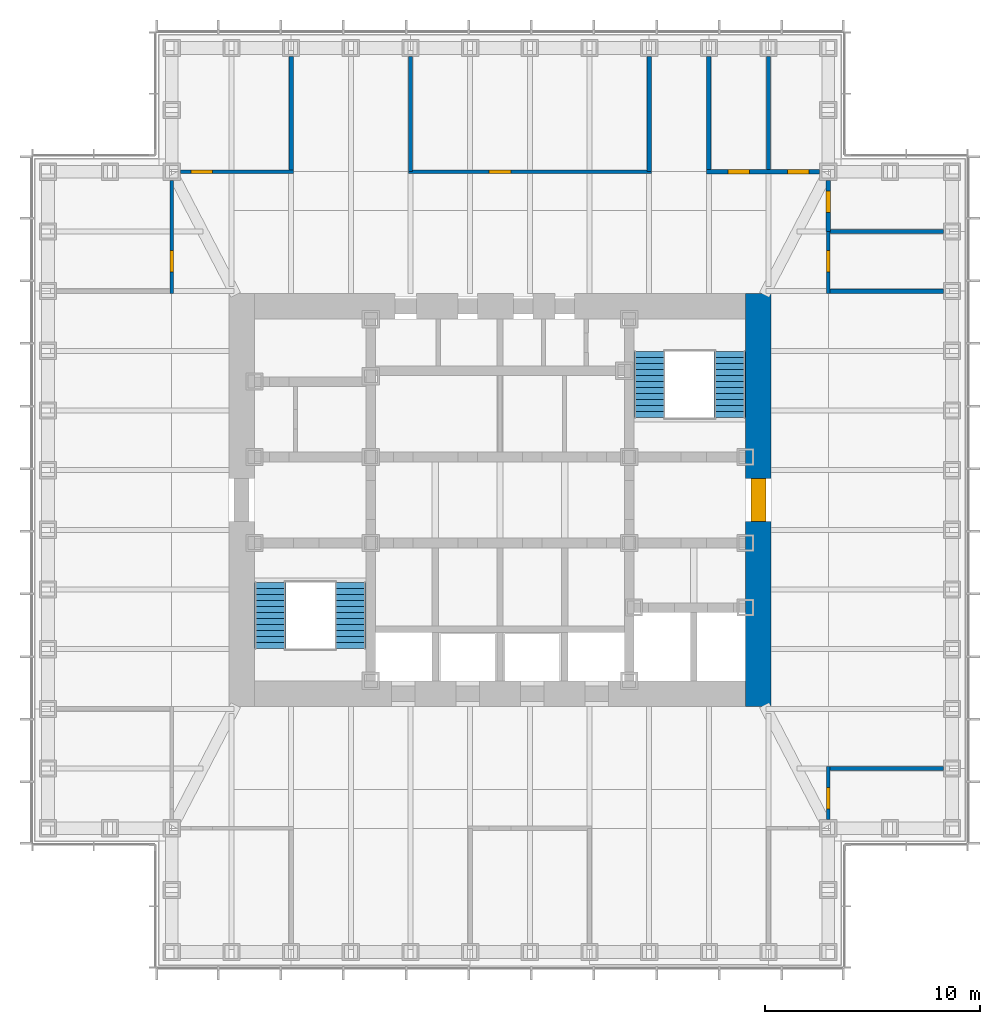
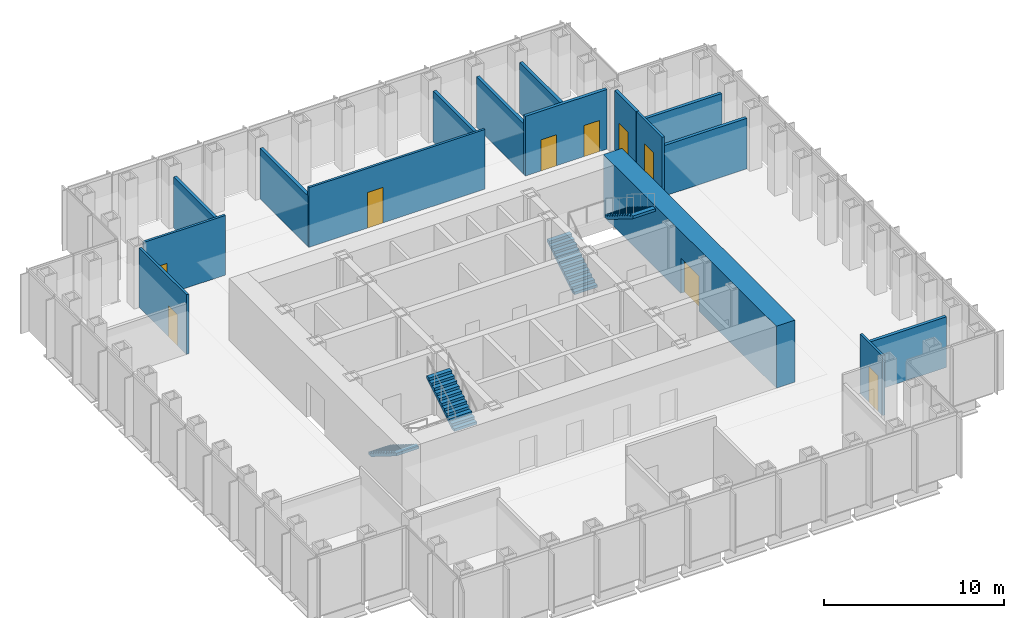
# One storey, part 10 of 16: 16 walls, 9 doors, 4 stair flights, 9 openings, 2 elements without a shape of their own.
"""IFC4 building model written with IfcOpenShell, lengths in metres."""

import ifcopenshell
import ifcopenshell.guid

model = None  # the IFC model being written
_history = None  # IfcOwnerHistory: only IFC2X3 demands one
_inside = {}  # id of a spatial element -> (the spatial element, [elements in it])
_under = {}  # id of a project, library or spatial element -> (it, [spatial elements below it])
_declared = {}  # id of a project -> (the project, [libraries it declares])
_typed = {}  # id of a type object -> (the type object, [elements of that type])
_made_of = {}  # id of a material, layer set ... -> (it, [elements and type objects made of it])


def new_model(schema):
    """Start an empty IFC model of exactly this schema.

    Asked for "IFC4X3", IfcOpenShell would pick the latest addendum, in which some entities
    have other attributes; the version numbers below select the first issue.
    IFC2X3 requires an IfcOwnerHistory on every rooted entity: one is made here for all.
    """
    global model, _history
    if schema == "IFC4X3":
        model = ifcopenshell.file(schema_version=(4, 3, 0, 0))
    else:
        model = ifcopenshell.file(schema=schema)
    _inside.clear()
    _under.clear()
    _declared.clear()
    _typed.clear()
    _made_of.clear()
    _history = None
    if model.schema == "IFC2X3":
        org = make("IfcOrganization", Name="unknown")
        user = make(
            "IfcPersonAndOrganization",
            ThePerson=make("IfcPerson", FamilyName="unknown"),
            TheOrganization=org,
        )
        app = make(
            "IfcApplication",
            ApplicationDeveloper=org,
            Version="unknown",
            ApplicationFullName="unknown",
            ApplicationIdentifier="unknown",
        )
        _history = make(
            "IfcOwnerHistory",
            OwningUser=user,
            OwningApplication=app,
            ChangeAction="ADDED",
            CreationDate=0,
        )
    return model


def make(cls, **values):
    """One entity of the class cls with the attributes given. An attribute that is None is left unset."""
    return model.create_entity(
        cls, **{name: value for name, value in values.items() if value is not None}
    )


def rooted(cls, **values):
    """An entity with a GlobalId (a new one), such as an element, a storey or a relation."""
    return make(cls, GlobalId=ifcopenshell.guid.new(), OwnerHistory=_history, **values)


def si_unit(unit_type, name, prefix=None):
    """IfcSIUnit, for example si_unit("LENGTHUNIT", "METRE", prefix="MILLI")."""
    return make("IfcSIUnit", UnitType=unit_type, Prefix=prefix, Name=name)


def assignment(units):
    """IfcUnitAssignment: the units of a project."""
    return None if units is None else make("IfcUnitAssignment", Units=units)


def point(xyz):
    """IfcCartesianPoint."""
    return None if xyz is None else make("IfcCartesianPoint", Coordinates=xyz)


def direction(xyz):
    """IfcDirection."""
    return None if xyz is None else make("IfcDirection", DirectionRatios=xyz)


def frame(location, z_axis=None, x_axis=None):
    """IfcAxis2Placement3D, a coordinate frame: its origin and axes. An axis left out is left unset."""
    return make(
        "IfcAxis2Placement3D",
        Location=point(location),
        Axis=direction(z_axis),
        RefDirection=direction(x_axis),
    )


def frame_2d(location, x_axis=None):
    """IfcAxis2Placement2D, a coordinate frame in the plane: its origin and x axis."""
    return make(
        "IfcAxis2Placement2D", Location=point(location), RefDirection=direction(x_axis)
    )


def origin():
    """The frame at (0, 0, 0) with its axes left unset."""
    return frame((0.0, 0.0, 0.0))


def place(relative_to, where):
    """IfcLocalPlacement: puts the frame where relative to a parent placement (None: the world)."""
    return make(
        "IfcLocalPlacement", PlacementRelTo=relative_to, RelativePlacement=where
    )


def context(
    kind, dimensions, precision=None, world=None, true_north=None, identifier=None
):
    """IfcGeometricRepresentationContext, for example the 3D "Model" context."""
    return make(
        "IfcGeometricRepresentationContext",
        ContextIdentifier=identifier,
        ContextType=kind,
        CoordinateSpaceDimension=dimensions,
        Precision=precision,
        WorldCoordinateSystem=world,
        TrueNorth=true_north,
    )


def subcontext(parent, identifier, kind, view, scale=None):
    """IfcGeometricRepresentationSubContext, for example "Body" below "Model"."""
    return make(
        "IfcGeometricRepresentationSubContext",
        ContextIdentifier=identifier,
        ContextType=kind,
        ParentContext=parent,
        TargetScale=scale,
        TargetView=view,
    )


def project(units=None, contexts=None):
    """IfcProject with its units and contexts."""
    return rooted(
        "IfcProject",
        Name="project",
        RepresentationContexts=contexts,
        UnitsInContext=assignment(units),
    )


def spatial(cls, under=None, at=None, **own):
    """A site, building, storey or space (cls), placed at a placement, below another one or the project."""
    s = rooted(cls, ObjectPlacement=at, **own)
    if under is not None:
        _under.setdefault(under.id(), (under, []))[1].append(s)
    return s


def polyline(points):
    """IfcPolyline through the points."""
    return make("IfcPolyline", Points=[point(p) for p in points])


def profile(cls, at=None, kind="AREA", **sizes):
    """A parametric profile (cls). Its sizes go by their IFC names, for example OverallWidth=200.0."""
    return make(cls, ProfileType=kind, Position=at, **sizes)


def rectangle(**sizes):
    """IfcRectangleProfileDef."""
    return profile("IfcRectangleProfileDef", **sizes)


def outline(outer, holes=None, kind="AREA"):
    """IfcArbitraryClosedProfileDef: a profile drawn as a closed curve; with holes, ...WithVoids."""
    if holes is None:
        return make("IfcArbitraryClosedProfileDef", ProfileType=kind, OuterCurve=outer)
    return make(
        "IfcArbitraryProfileDefWithVoids",
        ProfileType=kind,
        OuterCurve=outer,
        InnerCurves=holes,
    )


def extrude(swept, where, along, depth):
    """IfcExtrudedAreaSolid: the profile swept, set in the frame where, extruded along a direction by depth."""
    return make(
        "IfcExtrudedAreaSolid",
        SweptArea=swept,
        Position=where,
        ExtrudedDirection=direction(along),
        Depth=depth,
    )


def shape(context_of_items, identifier, shape_type, items):
    """IfcShapeRepresentation: the items that make up one representation, for example the "Body"."""
    return make(
        "IfcShapeRepresentation",
        ContextOfItems=context_of_items,
        RepresentationIdentifier=identifier,
        RepresentationType=shape_type,
        Items=items,
    )


def material(Name=None, Category=None):
    """IfcMaterial."""
    return make("IfcMaterial", Name=Name, Category=Category)


def layer(
    of_material, thickness, ventilated=None, Name=None, Category=None, Priority=None
):
    """IfcMaterialLayer: one layer of a wall or slab, of a material (None: an air gap)."""
    return make(
        "IfcMaterialLayer",
        Material=of_material,
        LayerThickness=thickness,
        IsVentilated=ventilated,
        Name=Name,
        Category=Category,
        Priority=Priority,
    )


def layer_set(layers, Name=None):
    """IfcMaterialLayerSet."""
    return make("IfcMaterialLayerSet", MaterialLayers=layers, LayerSetName=Name)


def made_of(thing, what):
    """Note that an element or type object is made of a material, layer set ...; save() writes the relation."""
    if what is not None:
        _made_of.setdefault(what.id(), (what, []))[1].append(thing)
    return thing


def type_object(cls, material=None, **own):
    """A type object (cls), such as IfcWallType, which elements share."""
    return made_of(rooted(cls, **own), material)


def element(
    cls,
    number,
    at=None,
    inside=None,
    cuts=None,
    type_object=None,
    material=None,
    context=None,
    identifier="Body",
    shape_type=None,
    held_by="IfcProductDefinitionShape",
    body=None,
    shapes=None,
    **own,
):
    """One element of the class cls, such as IfcWall. Its Tag is "e" and its number.

    at: its placement. inside: the storey or other place that contains it. cuts: it is an
    opening in that element (IfcRelVoidsElement). A single representation is given by context,
    identifier, shape_type and body (its items); several are given by shapes. held_by: the class
    of the entity that holds the representations. save() writes the other relations.
    """
    e = rooted(cls, Tag="e%d" % number, ObjectPlacement=at, **own)
    if body is not None:
        shapes = [shape(context, identifier, shape_type, body)]
    if shapes is not None:
        e.Representation = make(held_by, Representations=shapes)
    if inside is not None:
        _inside.setdefault(inside.id(), (inside, []))[1].append(e)
    if cuts is not None:
        rooted(
            "IfcRelVoidsElement", RelatingBuildingElement=cuts, RelatedOpeningElement=e
        )
    if type_object is not None:
        _typed.setdefault(type_object.id(), (type_object, []))[1].append(e)
    return made_of(e, material)


def fill(opening, filler):
    """IfcRelFillsElement: the door or window that sits in an opening."""
    return rooted(
        "IfcRelFillsElement",
        RelatingOpeningElement=opening,
        RelatedBuildingElement=filler,
    )


def aggregate(whole, parts):
    """IfcRelAggregates: a whole, such as a stair, and the parts it consists of."""
    return rooted("IfcRelAggregates", RelatingObject=whole, RelatedObjects=parts)


def save(model, path):
    """Write the relations noted so far, then the file.

    IfcRelAggregates (storeys below a building ...), IfcRelContainedInSpatialStructure (elements
    in a storey), IfcRelDefinesByType, IfcRelAssociatesMaterial and IfcRelDeclares: one each for
    every whole, place, type object, material and project.
    """
    for whole, parts in _under.values():
        aggregate(whole, parts)
    for where, things in _inside.values():
        rooted(
            "IfcRelContainedInSpatialStructure",
            RelatedElements=things,
            RelatingStructure=where,
        )
    for kind, things in _typed.values():
        rooted("IfcRelDefinesByType", RelatedObjects=things, RelatingType=kind)
    for what, things in _made_of.values():
        rooted("IfcRelAssociatesMaterial", RelatedObjects=things, RelatingMaterial=what)
    for by, libraries in _declared.values():
        rooted("IfcRelDeclares", RelatingContext=by, RelatedDefinitions=libraries)
    model.write(path)


model = new_model("IFC4")

# Units and contexts
model_context = context("Model", 3, precision=1e-05, world=origin(), true_north=direction((0.0, 1.0)))
body_context = subcontext(model_context, "Body", "Model", "MODEL_VIEW")
ifc_project = project(units=[si_unit("LENGTHUNIT", "METRE"), si_unit("AREAUNIT", "SQUARE_METRE"), si_unit("VOLUMEUNIT", "CUBIC_METRE"), si_unit("PLANEANGLEUNIT", "RADIAN"), si_unit("MASSUNIT", "GRAM", prefix="KILO")], contexts=[model_context])

# Site, building, storey
site_placement = place(None, origin())
site = spatial("IfcSite", under=ifc_project, at=site_placement, CompositionType="ELEMENT")
building_placement = place(site_placement, origin())
building = spatial("IfcBuilding", under=site, at=building_placement, Name="Daluyong Arena Tower", CompositionType="ELEMENT")
storey_placement = place(building_placement, frame((0.0, 0.0, 254.5)))
storey = spatial("IfcBuildingStorey", under=building, at=storey_placement, Name="L57", CompositionType="ELEMENT", Elevation=254.5)

# Wall, opening, door
ifc_material_1 = material(Name="Concrete fc' 60 MPa", Category="concrete")
ifc_layer_1 = layer(ifc_material_1, 1.199951171875)
ifc_layer_set_1 = layer_set([ifc_layer_1], Name="Concrete fc' 60 MPa")
wall_type_1 = type_object("IfcWallType", Name="Core wall 1200", PredefinedType="SHEAR", material=ifc_layer_set_1)
wall_1_placement = place(storey_placement, frame((68.0, 70.39990234375, 0.0), z_axis=(0.0, 0.0, 1.0), x_axis=(0.0, 1.0, 0.0)))
wall_1 = element("IfcWall", 1, at=wall_1_placement, inside=storey, type_object=wall_type_1, Name="core wall at L57", PredefinedType="SHEAR", context=body_context, shape_type="SweptSolid", body=[
    extrude(rectangle(XDim=19.2001953125, YDim=1.199951171875, at=frame_2d((9.60009765625, 0.0))), origin(), (0.0, 0.0, 1.0), 4.199951171875),
])
opening_1_placement = place(wall_1_placement, frame((8.60009765625, 0.0, 0.0)))
opening_1 = element("IfcOpeningElement", 2, at=opening_1_placement, cuts=wall_1, Name="Opening 57020", PredefinedType="OPENING", context=body_context, shape_type="SweptSolid", body=[
    extrude(rectangle(XDim=2.0, YDim=2.39990234375, at=frame_2d((1.0, 1.199951171875))), frame((0.0, 0.60986328125, 0.0), z_axis=(0.0, -1.0, 0.0), x_axis=(1.0, 0.0, 0.0)), (0.0, 0.0, 1.0), 1.219970703125),
])
ifc_material_2 = material(Name="Steel door, fire rated", Category="steel")
door_type_1 = type_object("IfcDoorType", Name="Core lobby double door 2000", OperationType="DOUBLE_DOOR_SINGLE_SWING", PredefinedType="DOOR", material=ifc_material_2)
door_1_placement = place(opening_1_placement, origin())
door_1 = element("IfcDoor", 3, at=door_1_placement, inside=storey, type_object=door_type_1, Name="core lobby door east 57020", OperationType="DOUBLE_DOOR_SINGLE_SWING", OverallHeight=2.39990234375, OverallWidth=2.0, PredefinedType="DOOR", context=body_context, shape_type="SweptSolid", body=[
    extrude(rectangle(XDim=2.0, YDim=2.39990234375, at=frame_2d((1.0, 1.199951171875))), frame((0.0, 0.35009765625, 0.0), z_axis=(0.0, -1.0, 0.0), x_axis=(1.0, 0.0, 0.0)), (0.0, 0.0, 1.0), 0.699951171875),
])
fill(opening_1, door_1)

ifc_material_3 = material(Name="Glazed aluminium partition", Category="aluminium")
ifc_layer_2 = layer(ifc_material_3, 0.14990234375)
ifc_layer_set_2 = layer_set([ifc_layer_2], Name="Glazed aluminium partition")
wall_type_2 = type_object("IfcWallType", Name="Glazed partition 150", PredefinedType="PARTITIONING", material=ifc_layer_set_2)
wall_2_placement = place(storey_placement, frame((41.14990234375, 95.25, 0.0), z_axis=(0.0, 0.0, 1.0), x_axis=(1.0, 0.0, 0.0)))
wall_2 = element("IfcWall", 4, at=wall_2_placement, inside=storey, type_object=wall_type_2, Name="glazed partition at L57", PredefinedType="PARTITIONING", context=body_context, shape_type="SweptSolid", body=[
    extrude(rectangle(XDim=5.24560546875, YDim=0.14990234375, at=frame_2d((2.622802734375, 0.0))), origin(), (0.0, 0.0, 1.0), 4.0400390625),
])
opening_2_placement = place(wall_2_placement, frame((0.486328125, 0.0, 0.0)))
opening_2 = element("IfcOpeningElement", 5, at=opening_2_placement, cuts=wall_2, Name="Opening 57036", PredefinedType="OPENING", context=body_context, shape_type="SweptSolid", body=[
    extrude(rectangle(XDim=1.0, YDim=2.10009765625, at=frame_2d((0.5, 1.050048828125))), frame((0.0, 0.0849609375, 0.0), z_axis=(0.0, -1.0, 0.0), x_axis=(1.0, 0.0, 0.0)), (0.0, 0.0, 1.0), 0.169921875),
])
ifc_material_4 = material(Name="Timber door", Category="wood")
door_type_2 = type_object("IfcDoorType", Name="Room door 1000", OperationType="SINGLE_SWING_LEFT", PredefinedType="DOOR", material=ifc_material_4)
door_2_placement = place(opening_2_placement, origin())
door_2 = element("IfcDoor", 6, at=door_2_placement, inside=storey, type_object=door_type_2, Name="executive office door 57036", OperationType="SINGLE_SWING_LEFT", OverallHeight=2.10009765625, OverallWidth=1.0, PredefinedType="DOOR", context=body_context, shape_type="SweptSolid", body=[
    extrude(rectangle(XDim=1.0, YDim=2.10009765625, at=frame_2d((0.5, 1.050048828125))), frame((0.0, 0.07470703125, 0.0), z_axis=(0.0, -1.0, 0.0), x_axis=(1.0, 0.0, 0.0)), (0.0, 0.0, 1.0), 0.1494140625),
])
fill(opening_2, door_2)

wall_3_placement = place(storey_placement, frame((51.740966796875, 95.25, 0.0), z_axis=(0.0, 0.0, 1.0), x_axis=(1.0, 0.0, 0.0)))
wall_3 = element("IfcWall", 7, at=wall_3_placement, inside=storey, type_object=wall_type_2, Name="glazed partition at L57", PredefinedType="PARTITIONING", context=body_context, shape_type="SweptSolid", body=[
    extrude(rectangle(XDim=11.290771484375, YDim=0.14990234375, at=frame_2d((5.6455078125, 0.0))), origin(), (0.0, 0.0, 1.0), 4.0400390625),
])
opening_3_placement = place(wall_3_placement, frame((3.759033203125, 0.0, 0.0)))
opening_3 = element("IfcOpeningElement", 8, at=opening_3_placement, cuts=wall_3, Name="Opening 57037", PredefinedType="OPENING", context=body_context, shape_type="SweptSolid", body=[
    extrude(rectangle(XDim=1.0, YDim=2.39990234375, at=frame_2d((0.5, 1.199951171875))), frame((0.0, 0.0849609375, 0.0), z_axis=(0.0, -1.0, 0.0), x_axis=(1.0, 0.0, 0.0)), (0.0, 0.0, 1.0), 0.169921875),
])
ifc_material_5 = material(Name="Glazed aluminium door", Category="aluminium")
door_type_3 = type_object("IfcDoorType", Name="Meeting room glazed door 1000", OperationType="SINGLE_SWING_RIGHT", PredefinedType="DOOR", material=ifc_material_5)
door_3_placement = place(opening_3_placement, origin())
door_3 = element("IfcDoor", 9, at=door_3_placement, inside=storey, type_object=door_type_3, Name="boardroom door 57037", OperationType="SINGLE_SWING_RIGHT", OverallHeight=2.39990234375, OverallWidth=1.0, PredefinedType="DOOR", context=body_context, shape_type="SweptSolid", body=[
    extrude(rectangle(XDim=1.0, YDim=2.39990234375, at=frame_2d((0.5, 1.199951171875))), frame((0.0, 0.07470703125, 0.0), z_axis=(0.0, -1.0, 0.0), x_axis=(1.0, 0.0, 0.0)), (0.0, 0.0, 1.0), 0.1494140625),
])
fill(opening_3, door_3)

wall_4_placement = place(storey_placement, frame((40.75, 89.6044921875, 0.0), z_axis=(0.0, 0.0, 1.0), x_axis=(0.0, 1.0, 0.0)))
wall_4 = element("IfcWall", 10, at=wall_4_placement, inside=storey, type_object=wall_type_2, Name="glazed partition at L57", PredefinedType="PARTITIONING", context=body_context, shape_type="SweptSolid", body=[
    extrude(rectangle(XDim=5.24560546875, YDim=0.14990234375, at=frame_2d((2.622802734375, 0.0))), origin(), (0.0, 0.0, 1.0), 4.0400390625),
])
opening_4_placement = place(wall_4_placement, frame((0.986328125, 0.0, 0.0)))
opening_4 = element("IfcOpeningElement", 11, at=opening_4_placement, cuts=wall_4, Name="Opening 57041", PredefinedType="OPENING", context=body_context, shape_type="SweptSolid", body=[
    extrude(rectangle(XDim=1.0, YDim=2.10009765625, at=frame_2d((0.5, 1.050048828125))), frame((0.0, 0.0849609375, 0.0), z_axis=(0.0, -1.0, 0.0), x_axis=(1.0, 0.0, 0.0)), (0.0, 0.0, 1.0), 0.169921875),
])
door_4_placement = place(opening_4_placement, origin())
door_4 = element("IfcDoor", 12, at=door_4_placement, inside=storey, type_object=door_type_2, Name="executive office door 57041", OperationType="SINGLE_SWING_LEFT", OverallHeight=2.10009765625, OverallWidth=1.0, PredefinedType="DOOR", context=body_context, shape_type="SweptSolid", body=[
    extrude(rectangle(XDim=1.0, YDim=2.10009765625, at=frame_2d((0.5, 1.050048828125))), frame((0.0, 0.07470703125, 0.0), z_axis=(0.0, -1.0, 0.0), x_axis=(1.0, 0.0, 0.0)), (0.0, 0.0, 1.0), 0.1494140625),
])
fill(opening_4, door_4)

wall_5_placement = place(storey_placement, frame((71.25, 65.14990234375, 0.0), z_axis=(0.0, 0.0, 1.0), x_axis=(0.0, 1.0, 0.0)))
wall_5 = element("IfcWall", 13, at=wall_5_placement, inside=storey, type_object=wall_type_2, Name="glazed partition at L57", PredefinedType="PARTITIONING", context=body_context, shape_type="SweptSolid", body=[
    extrude(rectangle(XDim=2.472900390625, YDim=0.14990234375, at=frame_2d((1.236328125, 0.0))), origin(), (0.0, 0.0, 1.0), 4.0400390625),
])
opening_5_placement = place(wall_5_placement, frame((0.486328125, 0.0, 0.0)))
opening_5 = element("IfcOpeningElement", 14, at=opening_5_placement, cuts=wall_5, Name="Opening 57033", PredefinedType="OPENING", context=body_context, shape_type="SweptSolid", body=[
    extrude(rectangle(XDim=1.0, YDim=2.39990234375, at=frame_2d((0.5, 1.199951171875))), frame((0.0, 0.0849609375, 0.0), z_axis=(0.0, -1.0, 0.0), x_axis=(1.0, 0.0, 0.0)), (0.0, 0.0, 1.0), 0.169921875),
])
door_5_placement = place(opening_5_placement, origin())
door_5 = element("IfcDoor", 15, at=door_5_placement, inside=storey, type_object=door_type_3, Name="meeting room door 57033", OperationType="SINGLE_SWING_RIGHT", OverallHeight=2.39990234375, OverallWidth=1.0, PredefinedType="DOOR", context=body_context, shape_type="SweptSolid", body=[
    extrude(rectangle(XDim=1.0, YDim=2.39990234375, at=frame_2d((0.5, 1.199951171875))), frame((0.0, 0.07470703125, 0.0), z_axis=(0.0, -1.0, 0.0), x_axis=(1.0, 0.0, 0.0)), (0.0, 0.0, 1.0), 0.1494140625),
])
fill(opening_5, door_5)

wall_6_placement = place(storey_placement, frame((71.25, 89.6044921875, 0.0), z_axis=(0.0, 0.0, 1.0), x_axis=(0.0, 1.0, 0.0)))
wall_6 = element("IfcWall", 16, at=wall_6_placement, inside=storey, type_object=wall_type_2, Name="glazed partition at L57", PredefinedType="PARTITIONING", context=body_context, shape_type="SweptSolid", body=[
    extrude(rectangle(XDim=2.872802734375, YDim=0.14990234375, at=frame_2d((1.4365234375, 0.0))), origin(), (0.0, 0.0, 1.0), 4.0400390625),
])
opening_6_placement = place(wall_6_placement, frame((0.986328125, 0.0, 0.0)))
opening_6 = element("IfcOpeningElement", 17, at=opening_6_placement, cuts=wall_6, Name="Opening 57034", PredefinedType="OPENING", context=body_context, shape_type="SweptSolid", body=[
    extrude(rectangle(XDim=1.0, YDim=2.39990234375, at=frame_2d((0.5, 1.199951171875))), frame((0.0, 0.0849609375, 0.0), z_axis=(0.0, -1.0, 0.0), x_axis=(1.0, 0.0, 0.0)), (0.0, 0.0, 1.0), 0.169921875),
])
door_6_placement = place(opening_6_placement, origin())
door_6 = element("IfcDoor", 18, at=door_6_placement, inside=storey, type_object=door_type_3, Name="focus room door 57034", OperationType="SINGLE_SWING_RIGHT", OverallHeight=2.39990234375, OverallWidth=1.0, PredefinedType="DOOR", context=body_context, shape_type="SweptSolid", body=[
    extrude(rectangle(XDim=1.0, YDim=2.39990234375, at=frame_2d((0.5, 1.199951171875))), frame((0.0, 0.07470703125, 0.0), z_axis=(0.0, -1.0, 0.0), x_axis=(1.0, 0.0, 0.0)), (0.0, 0.0, 1.0), 0.1494140625),
])
fill(opening_6, door_6)

# Walls
ifc_material_6 = material(Name="Concrete block partition", Category="concrete")
ifc_layer_3 = layer(ifc_material_6, 0.199951171875)
ifc_layer_set_3 = layer_set([ifc_layer_3], Name="Concrete block partition")
wall_type_3 = type_object("IfcWallType", Name="Partition 200", PredefinedType="PARTITIONING", material=ifc_layer_set_3)
for number, where, z_axis, x_axis, name in (
    (19, (71.25, 67.522705078125, 0.0), (0.0, 0.0, 1.0), (1.0, 0.0, 0.0), "partition at L57"),
    (20, (71.25, 89.70458984375, 0.0), (0.0, 0.0, 1.0), (1.0, 0.0, 0.0), "partition at L57"),
    (21, (71.25, 92.477294921875, 0.0), (0.0, 0.0, 1.0), (1.0, 0.0, 0.0), "partition at L57"),
    (22, (46.29541015625, 95.25, 0.0), (0.0, 0.0, 1.0), (0.0, 1.0, 0.0), "partition at L57"),
    (23, (51.8408203125, 95.25, 0.0), (0.0, 0.0, 1.0), (0.0, 1.0, 0.0), "partition at L57"),
    (24, (62.931884765625, 95.25, 0.0), (0.0, 0.0, 1.0), (0.0, 1.0, 0.0), "partition at L57"),
    (25, (65.70458984375, 95.25, 0.0), (0.0, 0.0, 1.0), (0.0, 1.0, 0.0), "partition at L57"),
    (26, (68.477294921875, 95.25, 0.0), (0.0, 0.0, 1.0), (0.0, 1.0, 0.0), "partition at L57"),
):
    element("IfcWall", number, at=place(storey_placement, frame(where, z_axis=z_axis, x_axis=x_axis)), inside=storey, type_object=wall_type_3, Name=name, PredefinedType="PARTITIONING", context=body_context, shape_type="SweptSolid", body=[
        extrude(rectangle(XDim=5.35009765625, YDim=0.199951171875, at=frame_2d((2.675048828125, 0.0))), origin(), (0.0, 0.0, 1.0), 3.427978515625),
    ])

# Wall, openings, doors
wall_7_placement = place(storey_placement, frame((65.6044921875, 95.25, 0.0), z_axis=(0.0, 0.0, 1.0), x_axis=(1.0, 0.0, 0.0)))
wall_7 = element("IfcWall", 27, at=wall_7_placement, inside=storey, type_object=wall_type_3, Name="partition at L57", PredefinedType="PARTITIONING", context=body_context, shape_type="SweptSolid", body=[
    extrude(rectangle(XDim=5.24560546875, YDim=0.199951171875, at=frame_2d((2.622802734375, 0.0))), origin(), (0.0, 0.0, 1.0), 4.0400390625),
])
opening_7_placement = place(wall_7_placement, frame((0.986328125, 0.0, 0.0)))
opening_7 = element("IfcOpeningElement", 28, at=opening_7_placement, cuts=wall_7, Name="Opening 57038", PredefinedType="OPENING", context=body_context, shape_type="SweptSolid", body=[
    extrude(rectangle(XDim=1.0, YDim=2.10009765625, at=frame_2d((0.5, 1.050048828125))), frame((0.0, 0.10986328125, 0.0), z_axis=(0.0, -1.0, 0.0), x_axis=(1.0, 0.0, 0.0)), (0.0, 0.0, 1.0), 0.219970703125),
])
opening_8_placement = place(wall_7_placement, frame((3.759033203125, 0.0, 0.0)))
opening_8 = element("IfcOpeningElement", 29, at=opening_8_placement, cuts=wall_7, Name="Opening 57039", PredefinedType="OPENING", context=body_context, shape_type="SweptSolid", body=[
    extrude(rectangle(XDim=1.0, YDim=2.10009765625, at=frame_2d((0.5, 1.050048828125))), frame((0.0, 0.10986328125, 0.0), z_axis=(0.0, -1.0, 0.0), x_axis=(1.0, 0.0, 0.0)), (0.0, 0.0, 1.0), 0.219970703125),
])
door_7_placement = place(opening_7_placement, origin())
door_7 = element("IfcDoor", 30, at=door_7_placement, inside=storey, type_object=door_type_2, Name="copy room door 57038", OperationType="SINGLE_SWING_LEFT", OverallHeight=2.10009765625, OverallWidth=1.0, PredefinedType="DOOR", context=body_context, shape_type="SweptSolid", body=[
    extrude(rectangle(XDim=1.0, YDim=2.10009765625, at=frame_2d((0.5, 1.050048828125))), frame((0.0, 0.099609375, 0.0), z_axis=(0.0, -1.0, 0.0), x_axis=(1.0, 0.0, 0.0)), (0.0, 0.0, 1.0), 0.199462890625),
])
fill(opening_7, door_7)
door_8_placement = place(opening_8_placement, origin())
door_8 = element("IfcDoor", 31, at=door_8_placement, inside=storey, type_object=door_type_2, Name="wellness room door 57039", OperationType="SINGLE_SWING_LEFT", OverallHeight=2.10009765625, OverallWidth=1.0, PredefinedType="DOOR", context=body_context, shape_type="SweptSolid", body=[
    extrude(rectangle(XDim=1.0, YDim=2.10009765625, at=frame_2d((0.5, 1.050048828125))), frame((0.0, 0.099609375, 0.0), z_axis=(0.0, -1.0, 0.0), x_axis=(1.0, 0.0, 0.0)), (0.0, 0.0, 1.0), 0.199462890625),
])
fill(opening_8, door_8)

# Wall, opening, door
wall_8_placement = place(storey_placement, frame((71.25, 92.477294921875, 0.0), z_axis=(0.0, 0.0, 1.0), x_axis=(0.0, 1.0, 0.0)))
wall_8 = element("IfcWall", 32, at=wall_8_placement, inside=storey, type_object=wall_type_3, Name="partition at L57", PredefinedType="PARTITIONING", context=body_context, shape_type="SweptSolid", body=[
    extrude(rectangle(XDim=2.372802734375, YDim=0.199951171875, at=frame_2d((1.1865234375, 0.0))), origin(), (0.0, 0.0, 1.0), 4.0400390625),
])
opening_9_placement = place(wall_8_placement, frame((0.886474609375, 0.0, 0.0)))
opening_9 = element("IfcOpeningElement", 33, at=opening_9_placement, cuts=wall_8, Name="Opening 57035", PredefinedType="OPENING", context=body_context, shape_type="SweptSolid", body=[
    extrude(rectangle(XDim=1.0, YDim=2.10009765625, at=frame_2d((0.5, 1.050048828125))), frame((0.0, 0.10986328125, 0.0), z_axis=(0.0, -1.0, 0.0), x_axis=(1.0, 0.0, 0.0)), (0.0, 0.0, 1.0), 0.219970703125),
])
door_9_placement = place(opening_9_placement, origin())
door_9 = element("IfcDoor", 34, at=door_9_placement, inside=storey, type_object=door_type_2, Name="quiet room door 57035", OperationType="SINGLE_SWING_LEFT", OverallHeight=2.10009765625, OverallWidth=1.0, PredefinedType="DOOR", context=body_context, shape_type="SweptSolid", body=[
    extrude(rectangle(XDim=1.0, YDim=2.10009765625, at=frame_2d((0.5, 1.050048828125))), frame((0.0, 0.099609375, 0.0), z_axis=(0.0, -1.0, 0.0), x_axis=(1.0, 0.0, 0.0)), (0.0, 0.0, 1.0), 0.199462890625),
])
fill(opening_9, door_9)

# Stair, stair flights
ifc_material_7 = material(Name="Concrete fc' 35 MPa", Category="concrete")
stair_type = type_object("IfcStairType", Name="Core exit stair", PredefinedType="HALF_TURN_STAIR", material=ifc_material_7)
stair_1_placement = place(storey_placement, origin())
stair_1 = element("IfcStair", 35, at=stair_1_placement, inside=storey, type_object=stair_type, Name="exit stair A L57", PredefinedType="HALF_TURN_STAIR")
ifc_material_8 = material(Name="Concrete fc' 35 MPa", Category="concrete")
stair_flight_type = type_object("IfcStairFlightType", Name="Core stair flight", PredefinedType="STRAIGHT", material=ifc_material_8)
stair_flight_1_placement = place(storey_placement, frame((45.324951171875, 76.175048828125, 0.0), z_axis=(0.0, 0.0, 1.0), x_axis=(0.0, -1.0, 0.0)))
stair_flight_1 = element("IfcStairFlight", 36, at=stair_flight_1_placement, type_object=stair_flight_type, Name="STA flight 1", NumberOfRisers=12, NumberOfTreads=11, PredefinedType="STRAIGHT", RiserHeight=0.175, TreadLength=0.28, context=body_context, shape_type="SweptSolid", body=[
    extrude(outline(polyline([(0.0, 0.0), (0.0, 0.175048828125), (0.280029296875, 0.175048828125), (0.280029296875, 0.35009765625), (0.56005859375, 0.35009765625), (0.56005859375, 0.52490234375), (0.840087890625, 0.52490234375), (0.840087890625, 0.699951171875), (1.1201171875, 0.699951171875), (1.1201171875, 0.875), (1.39990234375, 0.875), (1.39990234375, 1.050048828125), (1.679931640625, 1.050048828125), (1.679931640625, 1.22509765625), (1.9599609375, 1.22509765625), (1.9599609375, 1.39990234375), (2.239990234375, 1.39990234375), (2.239990234375, 1.574951171875), (2.52001953125, 1.574951171875), (2.52001953125, 1.75), (2.800048828125, 1.75), (2.800048828125, 1.925048828125), (3.080078125, 1.925048828125), (3.080078125, 2.10009765625), (3.080078125, 1.748291015625), (0.28271484375, 0.0), (0.0, 0.0)])), frame((0.0, 0.72509765625, 0.0), z_axis=(0.0, -1.0, 0.0), x_axis=(1.0, 0.0, 0.0)), (0.0, 0.0, 1.0), 1.449951171875),
])
stair_flight_2_placement = place(storey_placement, frame((49.050048828125, 73.094970703125, 2.10009765625), z_axis=(0.0, 0.0, 1.0), x_axis=(0.0, 1.0, 0.0)))
stair_flight_2 = element("IfcStairFlight", 37, at=stair_flight_2_placement, type_object=stair_flight_type, Name="STA flight 2", NumberOfRisers=12, NumberOfTreads=11, PredefinedType="STRAIGHT", RiserHeight=0.175, TreadLength=0.28, context=body_context, shape_type="SweptSolid", body=[
    extrude(outline(polyline([(0.0, 0.0), (0.0, 0.175048828125), (0.280029296875, 0.175048828125), (0.280029296875, 0.35009765625), (0.56005859375, 0.35009765625), (0.56005859375, 0.52490234375), (0.840087890625, 0.52490234375), (0.840087890625, 0.699951171875), (1.1201171875, 0.699951171875), (1.1201171875, 0.875), (1.39990234375, 0.875), (1.39990234375, 1.050048828125), (1.679931640625, 1.050048828125), (1.679931640625, 1.22509765625), (1.9599609375, 1.22509765625), (1.9599609375, 1.39990234375), (2.239990234375, 1.39990234375), (2.239990234375, 1.574951171875), (2.52001953125, 1.574951171875), (2.52001953125, 1.75), (2.800048828125, 1.75), (2.800048828125, 1.925048828125), (3.080078125, 1.925048828125), (3.080078125, 2.10009765625), (3.080078125, 1.748291015625), (0.28271484375, 0.0), (0.0, 0.0)])), frame((0.0, 0.72509765625, 0.0), z_axis=(0.0, -1.0, 0.0), x_axis=(1.0, 0.0, 0.0)), (0.0, 0.0, 1.0), 1.449951171875),
])
aggregate(stair_1, [stair_flight_1, stair_flight_2])

stair_2_placement = place(storey_placement, origin())
stair_2 = element("IfcStair", 38, at=stair_2_placement, inside=storey, type_object=stair_type, Name="exit stair B L57", PredefinedType="HALF_TURN_STAIR")
stair_flight_3_placement = place(storey_placement, frame((62.949951171875, 83.824951171875, 0.0), z_axis=(0.0, 0.0, 1.0), x_axis=(0.0, 1.0, 0.0)))
stair_flight_3 = element("IfcStairFlight", 39, at=stair_flight_3_placement, type_object=stair_flight_type, Name="STB flight 1", NumberOfRisers=12, NumberOfTreads=11, PredefinedType="STRAIGHT", RiserHeight=0.175, TreadLength=0.28, context=body_context, shape_type="SweptSolid", body=[
    extrude(outline(polyline([(0.0, 0.0), (0.0, 0.175048828125), (0.280029296875, 0.175048828125), (0.280029296875, 0.35009765625), (0.56005859375, 0.35009765625), (0.56005859375, 0.52490234375), (0.840087890625, 0.52490234375), (0.840087890625, 0.699951171875), (1.1201171875, 0.699951171875), (1.1201171875, 0.875), (1.39990234375, 0.875), (1.39990234375, 1.050048828125), (1.679931640625, 1.050048828125), (1.679931640625, 1.22509765625), (1.9599609375, 1.22509765625), (1.9599609375, 1.39990234375), (2.239990234375, 1.39990234375), (2.239990234375, 1.574951171875), (2.52001953125, 1.574951171875), (2.52001953125, 1.75), (2.800048828125, 1.75), (2.800048828125, 1.925048828125), (3.080078125, 1.925048828125), (3.080078125, 2.10009765625), (3.080078125, 1.748291015625), (0.28271484375, 0.0), (0.0, 0.0)])), frame((0.0, 0.72509765625, 0.0), z_axis=(0.0, -1.0, 0.0), x_axis=(1.0, 0.0, 0.0)), (0.0, 0.0, 1.0), 1.449951171875),
])
stair_flight_4_placement = place(storey_placement, frame((66.675048828125, 86.905029296875, 2.10009765625), z_axis=(0.0, 0.0, 1.0), x_axis=(0.0, -1.0, 0.0)))
stair_flight_4 = element("IfcStairFlight", 40, at=stair_flight_4_placement, type_object=stair_flight_type, Name="STB flight 2", NumberOfRisers=12, NumberOfTreads=11, PredefinedType="STRAIGHT", RiserHeight=0.175, TreadLength=0.28, context=body_context, shape_type="SweptSolid", body=[
    extrude(outline(polyline([(0.0, 0.0), (0.0, 0.175048828125), (0.280029296875, 0.175048828125), (0.280029296875, 0.35009765625), (0.56005859375, 0.35009765625), (0.56005859375, 0.52490234375), (0.840087890625, 0.52490234375), (0.840087890625, 0.699951171875), (1.1201171875, 0.699951171875), (1.1201171875, 0.875), (1.39990234375, 0.875), (1.39990234375, 1.050048828125), (1.679931640625, 1.050048828125), (1.679931640625, 1.22509765625), (1.9599609375, 1.22509765625), (1.9599609375, 1.39990234375), (2.239990234375, 1.39990234375), (2.239990234375, 1.574951171875), (2.52001953125, 1.574951171875), (2.52001953125, 1.75), (2.800048828125, 1.75), (2.800048828125, 1.925048828125), (3.080078125, 1.925048828125), (3.080078125, 2.10009765625), (3.080078125, 1.748291015625), (0.28271484375, 0.0), (0.0, 0.0)])), frame((0.0, 0.72509765625, 0.0), z_axis=(0.0, -1.0, 0.0), x_axis=(1.0, 0.0, 0.0)), (0.0, 0.0, 1.0), 1.449951171875),
])
aggregate(stair_2, [stair_flight_3, stair_flight_4])

save(model, "model.ifc")
